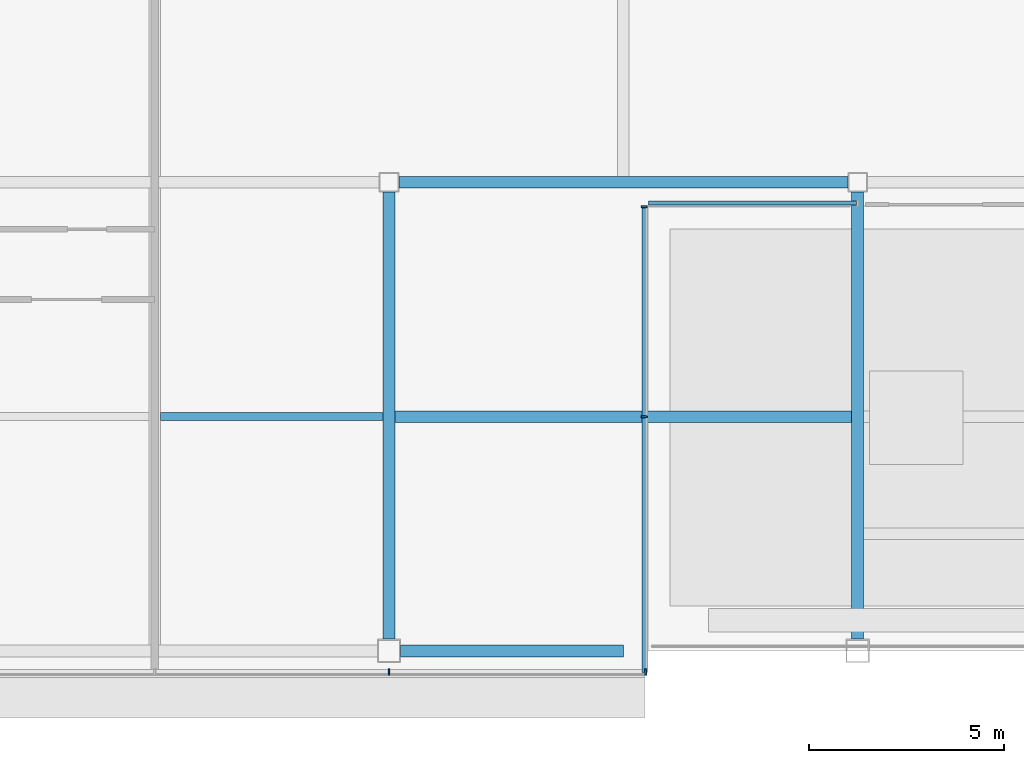
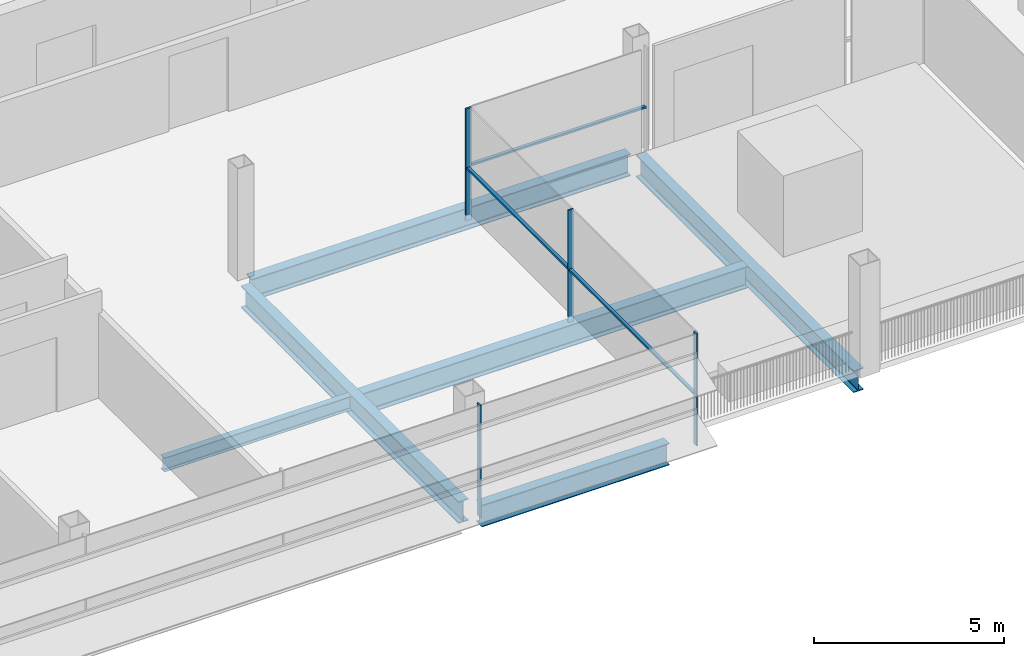
# One storey, part 10 of 30: 6 beams, 6 members, 3 elements without a shape of their own.
"""IFC4 building model written with IfcOpenShell, lengths in metres."""

import ifcopenshell
import ifcopenshell.guid

model = None  # the IFC model being written
_history = None  # IfcOwnerHistory: only IFC2X3 demands one
_inside = {}  # id of a spatial element -> (the spatial element, [elements in it])
_under = {}  # id of a project, library or spatial element -> (it, [spatial elements below it])
_declared = {}  # id of a project -> (the project, [libraries it declares])
_typed = {}  # id of a type object -> (the type object, [elements of that type])
_made_of = {}  # id of a material, layer set ... -> (it, [elements and type objects made of it])


def new_model(schema):
    """Start an empty IFC model of exactly this schema.

    Asked for "IFC4X3", IfcOpenShell would pick the latest addendum, in which some entities
    have other attributes; the version numbers below select the first issue.
    IFC2X3 requires an IfcOwnerHistory on every rooted entity: one is made here for all.
    """
    global model, _history
    if schema == "IFC4X3":
        model = ifcopenshell.file(schema_version=(4, 3, 0, 0))
    else:
        model = ifcopenshell.file(schema=schema)
    _inside.clear()
    _under.clear()
    _declared.clear()
    _typed.clear()
    _made_of.clear()
    _history = None
    if model.schema == "IFC2X3":
        org = make("IfcOrganization", Name="unknown")
        user = make(
            "IfcPersonAndOrganization",
            ThePerson=make("IfcPerson", FamilyName="unknown"),
            TheOrganization=org,
        )
        app = make(
            "IfcApplication",
            ApplicationDeveloper=org,
            Version="unknown",
            ApplicationFullName="unknown",
            ApplicationIdentifier="unknown",
        )
        _history = make(
            "IfcOwnerHistory",
            OwningUser=user,
            OwningApplication=app,
            ChangeAction="ADDED",
            CreationDate=0,
        )
    return model


def make(cls, **values):
    """One entity of the class cls with the attributes given. An attribute that is None is left unset."""
    return model.create_entity(
        cls, **{name: value for name, value in values.items() if value is not None}
    )


def rooted(cls, **values):
    """An entity with a GlobalId (a new one), such as an element, a storey or a relation."""
    return make(cls, GlobalId=ifcopenshell.guid.new(), OwnerHistory=_history, **values)


def si_unit(unit_type, name, prefix=None):
    """IfcSIUnit, for example si_unit("LENGTHUNIT", "METRE", prefix="MILLI")."""
    return make("IfcSIUnit", UnitType=unit_type, Prefix=prefix, Name=name)


def assignment(units):
    """IfcUnitAssignment: the units of a project."""
    return None if units is None else make("IfcUnitAssignment", Units=units)


def point(xyz):
    """IfcCartesianPoint."""
    return None if xyz is None else make("IfcCartesianPoint", Coordinates=xyz)


def direction(xyz):
    """IfcDirection."""
    return None if xyz is None else make("IfcDirection", DirectionRatios=xyz)


def frame(location, z_axis=None, x_axis=None):
    """IfcAxis2Placement3D, a coordinate frame: its origin and axes. An axis left out is left unset."""
    return make(
        "IfcAxis2Placement3D",
        Location=point(location),
        Axis=direction(z_axis),
        RefDirection=direction(x_axis),
    )


def frame_2d(location, x_axis=None):
    """IfcAxis2Placement2D, a coordinate frame in the plane: its origin and x axis."""
    return make(
        "IfcAxis2Placement2D", Location=point(location), RefDirection=direction(x_axis)
    )


def origin():
    """The frame at (0, 0, 0) with its axes left unset."""
    return frame((0.0, 0.0, 0.0))


def origin_2d():
    """The frame at (0, 0) in the plane with its x axis left unset."""
    return frame_2d((0.0, 0.0))


def place(relative_to, where):
    """IfcLocalPlacement: puts the frame where relative to a parent placement (None: the world)."""
    return make(
        "IfcLocalPlacement", PlacementRelTo=relative_to, RelativePlacement=where
    )


def context(
    kind, dimensions, precision=None, world=None, true_north=None, identifier=None
):
    """IfcGeometricRepresentationContext, for example the 3D "Model" context."""
    return make(
        "IfcGeometricRepresentationContext",
        ContextIdentifier=identifier,
        ContextType=kind,
        CoordinateSpaceDimension=dimensions,
        Precision=precision,
        WorldCoordinateSystem=world,
        TrueNorth=true_north,
    )


def subcontext(parent, identifier, kind, view, scale=None):
    """IfcGeometricRepresentationSubContext, for example "Body" below "Model"."""
    return make(
        "IfcGeometricRepresentationSubContext",
        ContextIdentifier=identifier,
        ContextType=kind,
        ParentContext=parent,
        TargetScale=scale,
        TargetView=view,
    )


def project(units=None, contexts=None):
    """IfcProject with its units and contexts."""
    return rooted(
        "IfcProject",
        Name="project",
        RepresentationContexts=contexts,
        UnitsInContext=assignment(units),
    )


def spatial(cls, under=None, at=None, **own):
    """A site, building, storey or space (cls), placed at a placement, below another one or the project."""
    s = rooted(cls, ObjectPlacement=at, **own)
    if under is not None:
        _under.setdefault(under.id(), (under, []))[1].append(s)
    return s


def profile(cls, at=None, kind="AREA", **sizes):
    """A parametric profile (cls). Its sizes go by their IFC names, for example OverallWidth=200.0."""
    return make(cls, ProfileType=kind, Position=at, **sizes)


def rectangle(**sizes):
    """IfcRectangleProfileDef."""
    return profile("IfcRectangleProfileDef", **sizes)


def i_section(**sizes):
    """IfcIShapeProfileDef."""
    return profile("IfcIShapeProfileDef", **sizes)


def extrude(swept, where, along, depth):
    """IfcExtrudedAreaSolid: the profile swept, set in the frame where, extruded along a direction by depth."""
    return make(
        "IfcExtrudedAreaSolid",
        SweptArea=swept,
        Position=where,
        ExtrudedDirection=direction(along),
        Depth=depth,
    )


def shape(context_of_items, identifier, shape_type, items):
    """IfcShapeRepresentation: the items that make up one representation, for example the "Body"."""
    return make(
        "IfcShapeRepresentation",
        ContextOfItems=context_of_items,
        RepresentationIdentifier=identifier,
        RepresentationType=shape_type,
        Items=items,
    )


def material(Name=None, Category=None):
    """IfcMaterial."""
    return make("IfcMaterial", Name=Name, Category=Category)


def material_profile(
    of_material, cross_section, Name=None, Category=None, Priority=None
):
    """IfcMaterialProfile: a cross section and its material."""
    return make(
        "IfcMaterialProfile",
        Name=Name,
        Material=of_material,
        Profile=cross_section,
        Priority=Priority,
        Category=Category,
    )


def profile_set(profiles, Name=None, composite=None):
    """IfcMaterialProfileSet."""
    return make(
        "IfcMaterialProfileSet",
        Name=Name,
        MaterialProfiles=profiles,
        CompositeProfile=composite,
    )


def made_of(thing, what):
    """Note that an element or type object is made of a material, layer set ...; save() writes the relation."""
    if what is not None:
        _made_of.setdefault(what.id(), (what, []))[1].append(thing)
    return thing


def type_object(cls, material=None, **own):
    """A type object (cls), such as IfcWallType, which elements share."""
    return made_of(rooted(cls, **own), material)


def element(
    cls,
    number,
    at=None,
    inside=None,
    cuts=None,
    type_object=None,
    material=None,
    context=None,
    identifier="Body",
    shape_type=None,
    held_by="IfcProductDefinitionShape",
    body=None,
    shapes=None,
    **own,
):
    """One element of the class cls, such as IfcWall. Its Tag is "e" and its number.

    at: its placement. inside: the storey or other place that contains it. cuts: it is an
    opening in that element (IfcRelVoidsElement). A single representation is given by context,
    identifier, shape_type and body (its items); several are given by shapes. held_by: the class
    of the entity that holds the representations. save() writes the other relations.
    """
    e = rooted(cls, Tag="e%d" % number, ObjectPlacement=at, **own)
    if body is not None:
        shapes = [shape(context, identifier, shape_type, body)]
    if shapes is not None:
        e.Representation = make(held_by, Representations=shapes)
    if inside is not None:
        _inside.setdefault(inside.id(), (inside, []))[1].append(e)
    if cuts is not None:
        rooted(
            "IfcRelVoidsElement", RelatingBuildingElement=cuts, RelatedOpeningElement=e
        )
    if type_object is not None:
        _typed.setdefault(type_object.id(), (type_object, []))[1].append(e)
    return made_of(e, material)


def aggregate(whole, parts):
    """IfcRelAggregates: a whole, such as a stair, and the parts it consists of."""
    return rooted("IfcRelAggregates", RelatingObject=whole, RelatedObjects=parts)


def save(model, path):
    """Write the relations noted so far, then the file.

    IfcRelAggregates (storeys below a building ...), IfcRelContainedInSpatialStructure (elements
    in a storey), IfcRelDefinesByType, IfcRelAssociatesMaterial and IfcRelDeclares: one each for
    every whole, place, type object, material and project.
    """
    for whole, parts in _under.values():
        aggregate(whole, parts)
    for where, things in _inside.values():
        rooted(
            "IfcRelContainedInSpatialStructure",
            RelatedElements=things,
            RelatingStructure=where,
        )
    for kind, things in _typed.values():
        rooted("IfcRelDefinesByType", RelatedObjects=things, RelatingType=kind)
    for what, things in _made_of.values():
        rooted("IfcRelAssociatesMaterial", RelatedObjects=things, RelatingMaterial=what)
    for by, libraries in _declared.values():
        rooted("IfcRelDeclares", RelatingContext=by, RelatedDefinitions=libraries)
    model.write(path)


model = new_model("IFC4")

# Units and contexts
model_context = context("Model", 3, precision=1e-05, world=origin(), true_north=direction((0.0, 1.0)))
body_context = subcontext(model_context, "Body", "Model", "MODEL_VIEW")
ifc_project = project(units=[si_unit("LENGTHUNIT", "METRE"), si_unit("AREAUNIT", "SQUARE_METRE"), si_unit("VOLUMEUNIT", "CUBIC_METRE"), si_unit("PLANEANGLEUNIT", "RADIAN"), si_unit("MASSUNIT", "GRAM", prefix="KILO")], contexts=[model_context])

# Site, building, storey
site_placement = place(None, origin())
site = spatial("IfcSite", under=ifc_project, at=site_placement, CompositionType="ELEMENT")
building_placement = place(site_placement, origin())
building = spatial("IfcBuilding", under=site, at=building_placement, Name="Sorahane Residences", CompositionType="ELEMENT")
storey_placement = place(building_placement, frame((0.0, 0.0, 263.0)))
storey = spatial("IfcBuildingStorey", under=building, at=storey_placement, Name="L62", CompositionType="ELEMENT", Elevation=263.0)

# Curtain wall, members
ifc_material_1 = material(Name="Dark low-e glass and black anodised aluminium", Category="aluminium")
curtain_wall_type = type_object("IfcCurtainWallType", Name="Curtain wall CW-1 Typical unitised wall", PredefinedType="NOTDEFINED", material=ifc_material_1)
curtain_wall_1_placement = place(storey_placement, origin())
curtain_wall_1 = element("IfcCurtainWall", 1, at=curtain_wall_1_placement, inside=storey, type_object=curtain_wall_type, Name="CW-1 curtain wall L62 S1", PredefinedType="NOTDEFINED")
ifc_material_2 = material(Name="Black anodised aluminium", Category="aluminium")
ifc_material_profile_1 = material_profile(ifc_material_2, rectangle(XDim=0.159912109375, YDim=0.050048828125, at=origin_2d()), Name="Curtain wall mullion CW-1 black anodised aluminium 50x160")
ifc_profile_set_1 = profile_set([ifc_material_profile_1], Name="Black anodised aluminium")
member_type_1 = type_object("IfcMemberType", Name="Curtain wall mullion CW-1 black anodised aluminium 50x160", PredefinedType="MULLION", material=ifc_profile_set_1)
member_1_placement = place(storey_placement, frame((24.0, -0.5400390625, -0.179931640625), z_axis=(0.0, 0.0, 1.0), x_axis=(0.0, -1.0, 0.0)))
member_1 = element("IfcMember", 2, at=member_1_placement, type_object=member_type_1, Name="CW-1 mullion L62 S1.6", PredefinedType="MULLION", context=body_context, shape_type="SweptSolid", body=[
    extrude(rectangle(XDim=0.159912109375, YDim=0.050048828125, at=origin_2d()), origin(), (0.0, 0.0, 1.0), 3.599853515625),
])
member_2_placement = place(storey_placement, frame((30.574951171875, -0.5400390625, -0.179931640625), z_axis=(0.0, 0.0, 1.0), x_axis=(0.0, -1.0, 0.0)))
member_2 = element("IfcMember", 3, at=member_2_placement, type_object=member_type_1, Name="CW-1 mullion L62 S1.7", PredefinedType="MULLION", context=body_context, shape_type="SweptSolid", body=[
    extrude(rectangle(XDim=0.159912109375, YDim=0.050048828125, at=origin_2d()), origin(), (0.0, 0.0, 1.0), 3.599853515625),
])
aggregate(curtain_wall_1, [member_1, member_2])

curtain_wall_2_placement = place(storey_placement, origin())
curtain_wall_2 = element("IfcCurtainWall", 4, at=curtain_wall_2_placement, inside=storey, type_object=curtain_wall_type, Name="CW-1 curtain wall L62 E1", PredefinedType="NOTDEFINED")
member_3_placement = place(storey_placement, frame((30.5400390625, 6.0, -0.179931640625), z_axis=(0.0, 0.0, 1.0), x_axis=(1.0, 0.0, 0.0)))
member_3 = element("IfcMember", 5, at=member_3_placement, type_object=member_type_1, Name="CW-1 mullion L62 E1.2", PredefinedType="MULLION", context=body_context, shape_type="SweptSolid", body=[
    extrude(rectangle(XDim=0.159912109375, YDim=0.050048828125, at=origin_2d()), origin(), (0.0, 0.0, 1.0), 3.599853515625),
])
member_4_placement = place(storey_placement, frame((30.5400390625, 11.375, -0.179931640625), z_axis=(0.0, 0.0, 1.0), x_axis=(1.0, 0.0, 0.0)))
member_4 = element("IfcMember", 6, at=member_4_placement, type_object=member_type_1, Name="CW-1 mullion L62 E1.3", PredefinedType="MULLION", context=body_context, shape_type="SweptSolid", body=[
    extrude(rectangle(XDim=0.159912109375, YDim=0.050048828125, at=origin_2d()), origin(), (0.0, 0.0, 1.0), 3.599853515625),
])
ifc_material_3 = material(Name="Black anodised aluminium", Category="aluminium")
ifc_material_profile_2 = material_profile(ifc_material_3, rectangle(XDim=0.10009765625, YDim=0.06005859375, at=origin_2d()), Name="Curtain wall transom CW-1 black anodised aluminium 60x100")
ifc_profile_set_2 = profile_set([ifc_material_profile_2], Name="Black anodised aluminium")
member_type_2 = type_object("IfcMemberType", Name="Curtain wall transom CW-1 black anodised aluminium 60x100", PredefinedType="USERDEFINED", material=ifc_profile_set_2)
member_5_placement = place(storey_placement, frame((30.530029296875, -0.550048828125, 1.5), z_axis=(0.0, 1.0, 0.0), x_axis=(-1.0, 0.0, 0.0)))
member_5 = element("IfcMember", 7, at=member_5_placement, type_object=member_type_2, Name="CW-1 transom L62 E1", ObjectType="TRANSOM", PredefinedType="USERDEFINED", context=body_context, shape_type="SweptSolid", body=[
    extrude(rectangle(XDim=0.10009765625, YDim=0.06005859375, at=origin_2d()), origin(), (0.0, 0.0, 1.0), 11.900146484375),
])
aggregate(curtain_wall_2, [member_3, member_4, member_5])

# Curtain wall, member
curtain_wall_3_placement = place(storey_placement, origin())
curtain_wall_3 = element("IfcCurtainWall", 8, at=curtain_wall_3_placement, inside=storey, type_object=curtain_wall_type, Name="CW-1 curtain wall L62 S2", PredefinedType="NOTDEFINED")
member_6_placement = place(storey_placement, frame((30.64990234375, 11.469970703125, 1.5), z_axis=(1.0, 0.0, 0.0), x_axis=(0.0, 1.0, 0.0)))
member_6 = element("IfcMember", 9, at=member_6_placement, type_object=member_type_2, Name="CW-1 transom L62 S2.1", ObjectType="TRANSOM", PredefinedType="USERDEFINED", context=body_context, shape_type="SweptSolid", body=[
    extrude(rectangle(XDim=0.10009765625, YDim=0.06005859375, at=origin_2d()), origin(), (0.0, 0.0, 1.0), 5.3251953125),
])
aggregate(curtain_wall_3, [member_6])

# Beams
ifc_material_4 = material(Name="Steel Q355B", Category="steel")
ifc_material_profile_3 = material_profile(ifc_material_4, i_section(OverallWidth=0.199951171875, OverallDepth=0.449951171875, WebThickness=0.009033203125, FlangeThickness=0.013916015625, FilletRadius=0.02001953125, at=origin_2d()), Name="HN 450x200x9x14")
ifc_profile_set_3 = profile_set([ifc_material_profile_3], Name="Steel Q355B")
beam_type_1 = type_object("IfcBeamType", Name="Steel floor beam HN 450x200x9x14 Q355B", PredefinedType="BEAM", material=ifc_profile_set_3)
beam_1_placement = place(storey_placement, frame((18.14990234375, 6.0, -0.405029296875), z_axis=(1.0, 0.0, 0.0), x_axis=(0.0, 1.0, 0.0)))
element("IfcBeam", 10, at=beam_1_placement, inside=storey, type_object=beam_type_1, Name="Beam L62 069", PredefinedType="BEAM", context=body_context, shape_type="SweptSolid", body=[
    extrude(i_section(OverallWidth=0.199951171875, OverallDepth=0.449951171875, WebThickness=0.009033203125, FlangeThickness=0.013916015625, FilletRadius=0.02001953125, at=origin_2d()), origin(), (0.0, 0.0, 1.0), 5.7001953125),
])
ifc_material_5 = material(Name="Steel Q355B", Category="steel")
ifc_material_profile_4 = material_profile(ifc_material_5, i_section(OverallWidth=0.300048828125, OverallDepth=0.699951171875, WebThickness=0.012939453125, FlangeThickness=0.02392578125, FilletRadius=0.028076171875, at=origin_2d()), Name="HN 700x300x13x24")
ifc_profile_set_4 = profile_set([ifc_material_profile_4], Name="Steel Q355B")
beam_type_2 = type_object("IfcBeamType", Name="Steel floor beam HN 700x300x13x24 Q355B", PredefinedType="BEAM", material=ifc_profile_set_4)
beam_2_placement = place(storey_placement, frame((24.300048828125, 0.0, -0.530029296875), z_axis=(1.0, 0.0, 0.0), x_axis=(0.0, 1.0, 0.0)))
element("IfcBeam", 11, at=beam_2_placement, inside=storey, type_object=beam_type_2, Name="Beam L62 003", PredefinedType="BEAM", context=body_context, shape_type="SweptSolid", body=[
    extrude(i_section(OverallWidth=0.300048828125, OverallDepth=0.699951171875, WebThickness=0.012939453125, FlangeThickness=0.02392578125, FilletRadius=0.028076171875, at=origin_2d()), origin(), (0.0, 0.0, 1.0), 5.699951171875),
])
beam_3_placement = place(storey_placement, frame((24.25, 12.0, -0.530029296875), z_axis=(1.0, 0.0, 0.0), x_axis=(0.0, 1.0, 0.0)))
element("IfcBeam", 12, at=beam_3_placement, inside=storey, type_object=beam_type_2, Name="Beam L62 007", PredefinedType="BEAM", context=body_context, shape_type="SweptSolid", body=[
    extrude(i_section(OverallWidth=0.300048828125, OverallDepth=0.699951171875, WebThickness=0.012939453125, FlangeThickness=0.02392578125, FilletRadius=0.028076171875, at=origin_2d()), origin(), (0.0, 0.0, 1.0), 11.5),
])
for number, where, z_axis, x_axis, name in (
    (13, (24.0, 0.300048828125, -0.530029296875), (0.0, 1.0, 0.0), (-1.0, 0.0, 0.0), "Beam L62 041"),
    (14, (36.0, 0.300048828125, -0.530029296875), (0.0, 1.0, 0.0), (-1.0, 0.0, 0.0), "Beam L62 048"),
):
    element("IfcBeam", number, at=place(storey_placement, frame(where, z_axis=z_axis, x_axis=x_axis)), inside=storey, type_object=beam_type_2, Name=name, PredefinedType="BEAM", context=body_context, shape_type="SweptSolid", body=[
        extrude(i_section(OverallWidth=0.300048828125, OverallDepth=0.699951171875, WebThickness=0.012939453125, FlangeThickness=0.02392578125, FilletRadius=0.028076171875, at=origin_2d()), origin(), (0.0, 0.0, 1.0), 11.449951171875),
    ])
beam_4_placement = place(storey_placement, frame((24.14990234375, 6.0, -0.530029296875), z_axis=(1.0, 0.0, 0.0), x_axis=(0.0, 1.0, 0.0)))
element("IfcBeam", 15, at=beam_4_placement, inside=storey, type_object=beam_type_2, Name="Beam L62 070", PredefinedType="BEAM", context=body_context, shape_type="SweptSolid", body=[
    extrude(i_section(OverallWidth=0.300048828125, OverallDepth=0.699951171875, WebThickness=0.012939453125, FlangeThickness=0.02392578125, FilletRadius=0.028076171875, at=origin_2d()), origin(), (0.0, 0.0, 1.0), 11.7001953125),
])

save(model, "model.ifc")
